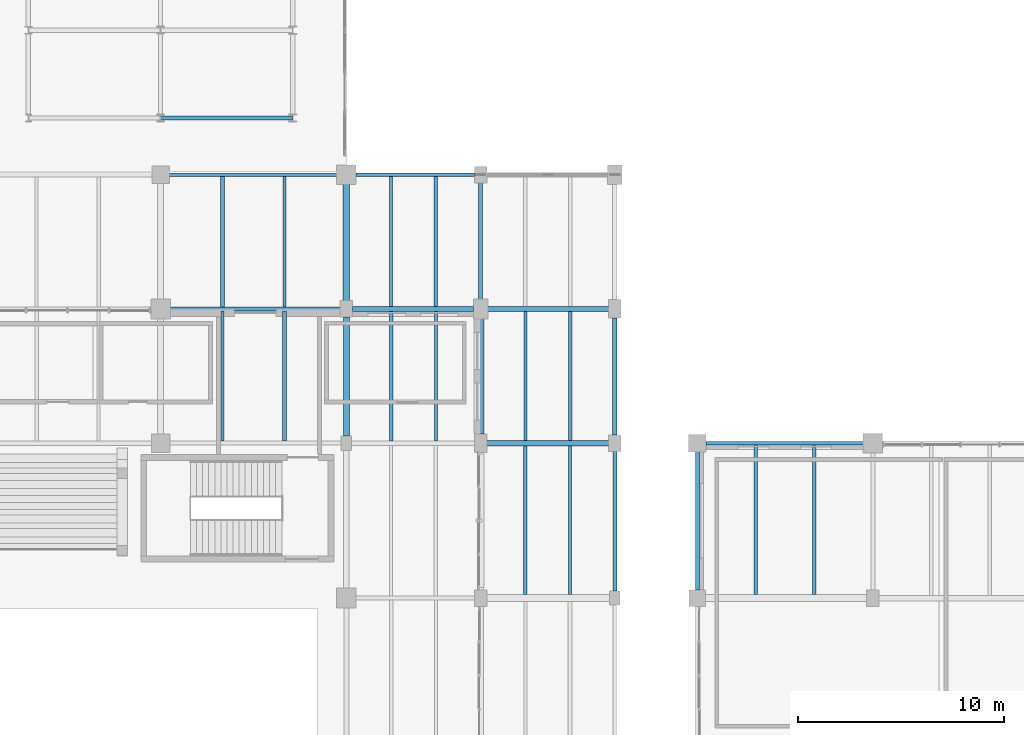
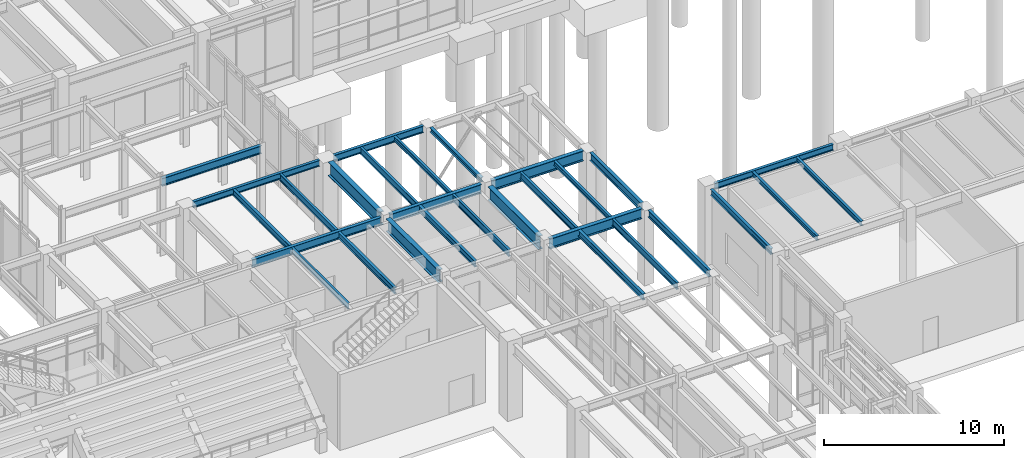
# One storey, part 122 of 203: 29 beams.
"""IFC4 building model written with IfcOpenShell, lengths in metres."""

from ifc_helpers import new_model, si_unit, direction, frame, origin, origin_2d, place, context, subcontext, project, spatial, i_section, extrude, material, material_profile, profile_set, type_object, element, save


model = new_model("IFC4")

# Units and contexts
model_context = context("Model", 3, precision=1e-05, world=origin(), true_north=direction((0.0, 1.0)))
body_context = subcontext(model_context, "Body", "Model", "MODEL_VIEW")
ifc_project = project(units=[si_unit("LENGTHUNIT", "METRE"), si_unit("AREAUNIT", "SQUARE_METRE"), si_unit("VOLUMEUNIT", "CUBIC_METRE"), si_unit("PLANEANGLEUNIT", "RADIAN"), si_unit("MASSUNIT", "GRAM", prefix="KILO"), si_unit("THERMODYNAMICTEMPERATUREUNIT", "KELVIN"), si_unit("POWERUNIT", "WATT")], contexts=[model_context])

# Site, building, storey
site_placement = place(None, origin())
site = spatial("IfcSite", under=ifc_project, at=site_placement, CompositionType="ELEMENT")
building_placement = place(site_placement, origin())
building = spatial("IfcBuilding", under=site, at=building_placement, Name="Tepalcoro Natatorium and Aquatics Centre", CompositionType="ELEMENT")
storey_placement = place(building_placement, origin())
storey = spatial("IfcBuildingStorey", under=building, at=storey_placement, Name="L00", CompositionType="ELEMENT", Elevation=0.0)

# Beams
ifc_material = material(Name="Steel ASTM A992 Grade 50 (Fy 345 MPa)", Category="steel")
ifc_material_profile_1 = material_profile(ifc_material, i_section(OverallWidth=0.2109375, OverallDepth=0.5380859375, WebThickness=0.011962890625, FlangeThickness=0.01904296875, FilletRadius=0.013916015625, at=origin_2d()), Name="W21X73")
ifc_profile_set_1 = profile_set([ifc_material_profile_1], Name="Steel ASTM A992 Grade 50 (Fy 345 MPa)")
beam_type_1 = type_object("IfcBeamType", Name="BM_LINK_LB1", PredefinedType="BEAM", material=ifc_profile_set_1)
beam_1_placement = place(storey_placement, frame((116.0, 74.75, 4.89599609375), z_axis=(1.0, 0.0, 0.0), x_axis=(0.0, 1.0, 0.0)))
element("IfcBeam", 1, at=beam_1_placement, inside=storey, type_object=beam_type_1, Name="Seismic passage link beam LB1 (V6NE L00)", PredefinedType="BEAM", context=body_context, shape_type="SweptSolid", body=[
    extrude(i_section(OverallWidth=0.2109375, OverallDepth=0.5380859375, WebThickness=0.011962890625, FlangeThickness=0.01904296875, FilletRadius=0.013916015625, at=origin_2d()), origin(), (0.0, 0.0, 1.0), 6.39990234375),
])
ifc_material_profile_2 = material_profile(ifc_material, i_section(OverallWidth=0.202880859375, OverallDepth=0.304931640625, WebThickness=0.007080078125, FlangeThickness=0.012939453125, FilletRadius=0.013916015625, at=origin_2d()), Name="W12X40")
ifc_profile_set_2 = profile_set([ifc_material_profile_2], Name="Steel ASTM A992 Grade 50 (Fy 345 MPa)")
beam_type_2 = type_object("IfcBeamType", Name="BM_W12x40", PredefinedType="BEAM", material=ifc_profile_set_2)
beam_2_placement = place(storey_placement, frame((131.5, 65.9599609375, 4.9326171875), z_axis=(0.0, 1.0, 0.0), x_axis=(-1.0, 0.0, 0.0)))
element("IfcBeam", 2, at=beam_2_placement, inside=storey, type_object=beam_type_2, Name="V1 L00 Grid Girder Y", PredefinedType="BEAM", context=body_context, shape_type="SweptSolid", body=[
    extrude(i_section(OverallWidth=0.202880859375, OverallDepth=0.304931640625, WebThickness=0.007080078125, FlangeThickness=0.012939453125, FilletRadius=0.013916015625, at=origin_2d()), origin(), (0.0, 0.0, 1.0), 5.655029296875),
])
ifc_material_profile_3 = material_profile(ifc_material, i_section(OverallWidth=0.2099609375, OverallDepth=0.532958984375, WebThickness=0.010009765625, FlangeThickness=0.01611328125, FilletRadius=0.013916015625, at=origin_2d()), Name="W21X62")
ifc_profile_set_3 = profile_set([ifc_material_profile_3], Name="Steel ASTM A992 Grade 50 (Fy 345 MPa)")
beam_type_3 = type_object("IfcBeamType", Name="BM_W21x62", PredefinedType="BEAM", material=ifc_profile_set_3)
beam_3_placement = place(storey_placement, frame((116.4599609375, 65.5, 4.818603515625), z_axis=(1.0, 0.0, 0.0), x_axis=(0.0, 1.0, 0.0)))
element("IfcBeam", 3, at=beam_3_placement, inside=storey, type_object=beam_type_3, Name="V1 L00 Grid Girder X", PredefinedType="BEAM", context=body_context, shape_type="SweptSolid", body=[
    extrude(i_section(OverallWidth=0.2099609375, OverallDepth=0.532958984375, WebThickness=0.010009765625, FlangeThickness=0.01611328125, FilletRadius=0.013916015625, at=origin_2d()), origin(), (0.0, 0.0, 1.0), 8.255126953125),
])
ifc_material_profile_4 = material_profile(ifc_material, i_section(OverallWidth=0.22998046875, OverallDepth=0.616943359375, WebThickness=0.012939453125, FlangeThickness=0.02197265625, FilletRadius=0.013916015625, at=origin_2d()), Name="W24X94")
ifc_profile_set_4 = profile_set([ifc_material_profile_4], Name="Steel ASTM A992 Grade 50 (Fy 345 MPa)")
beam_type_4 = type_object("IfcBeamType", Name="BM_W24x94", PredefinedType="BEAM", material=ifc_profile_set_4)
beam_4_placement = place(storey_placement, frame((125.284912109375, 65.5, 4.776611328125), z_axis=(1.0, 0.0, 0.0), x_axis=(0.0, 1.0, 0.0)))
element("IfcBeam", 4, at=beam_4_placement, inside=storey, type_object=beam_type_4, Name="V1 L00 Grid Girder X", PredefinedType="BEAM", context=body_context, shape_type="SweptSolid", body=[
    extrude(i_section(OverallWidth=0.22998046875, OverallDepth=0.616943359375, WebThickness=0.012939453125, FlangeThickness=0.02197265625, FilletRadius=0.013916015625, at=origin_2d()), origin(), (0.0, 0.0, 1.0), 5.880126953125),
])
ifc_material_profile_5 = material_profile(ifc_material, i_section(OverallWidth=0.25390625, OverallDepth=0.68798828125, WebThickness=0.012939453125, FlangeThickness=0.02099609375, FilletRadius=0.013916015625, at=origin_2d()), Name="W27X102")
ifc_profile_set_5 = profile_set([ifc_material_profile_5], Name="Steel ASTM A992 Grade 50 (Fy 345 MPa)")
beam_type_5 = type_object("IfcBeamType", Name="BM_W27x102", PredefinedType="BEAM", material=ifc_profile_set_5)
beam_5_placement = place(storey_placement, frame((131.784912109375, 59.0, 4.740966796875), z_axis=(1.0, 0.0, 0.0), x_axis=(0.0, 1.0, 0.0)))
element("IfcBeam", 5, at=beam_5_placement, inside=storey, type_object=beam_type_5, Name="V1 L00 Grid Girder X", PredefinedType="BEAM", context=body_context, shape_type="SweptSolid", body=[
    extrude(i_section(OverallWidth=0.25390625, OverallDepth=0.68798828125, WebThickness=0.012939453125, FlangeThickness=0.02099609375, FilletRadius=0.013916015625, at=origin_2d()), origin(), (0.0, 0.0, 1.0), 5.93017578125),
])
ifc_material_profile_6 = material_profile(ifc_material, i_section(OverallWidth=0.25390625, OverallDepth=0.700927734375, WebThickness=0.014892578125, FlangeThickness=0.028076171875, FilletRadius=0.013916015625, at=origin_2d()), Name="W27X129")
ifc_profile_set_6 = profile_set([ifc_material_profile_6], Name="Steel ASTM A992 Grade 50 (Fy 345 MPa)")
beam_type_6 = type_object("IfcBeamType", Name="BM_W27x129", PredefinedType="BEAM", material=ifc_profile_set_6)
beam_6_placement = place(storey_placement, frame((131.8349609375, 65.5, 4.734619140625), z_axis=(1.0, 0.0, 0.0), x_axis=(0.0, 1.0, 0.0)))
element("IfcBeam", 6, at=beam_6_placement, inside=storey, type_object=beam_type_6, Name="V1 L00 Grid Girder X", PredefinedType="BEAM", context=body_context, shape_type="SweptSolid", body=[
    extrude(i_section(OverallWidth=0.25390625, OverallDepth=0.700927734375, WebThickness=0.014892578125, FlangeThickness=0.028076171875, FilletRadius=0.013916015625, at=origin_2d()), origin(), (0.0, 0.0, 1.0), 5.880126953125),
])
ifc_material_profile_7 = material_profile(ifc_material, i_section(OverallWidth=0.2919921875, OverallDepth=0.85888671875, WebThickness=0.01708984375, FlangeThickness=0.031005859375, FilletRadius=0.013916015625, at=origin_2d()), Name="W33X169")
ifc_profile_set_7 = profile_set([ifc_material_profile_7], Name="Steel ASTM A992 Grade 50 (Fy 345 MPa)")
beam_type_7 = type_object("IfcBeamType", Name="BM_W33x169", PredefinedType="BEAM", material=ifc_profile_set_7)
beam_7_placement = place(storey_placement, frame((125.0, 59.3349609375, 4.695556640625), z_axis=(0.0, 1.0, 0.0), x_axis=(-1.0, 0.0, 0.0)))
element("IfcBeam", 7, at=beam_7_placement, inside=storey, type_object=beam_type_7, Name="V1 L00 Grid Girder Y", PredefinedType="BEAM", context=body_context, shape_type="SweptSolid", body=[
    extrude(i_section(OverallWidth=0.2919921875, OverallDepth=0.85888671875, WebThickness=0.01708984375, FlangeThickness=0.031005859375, FilletRadius=0.013916015625, at=origin_2d()), origin(), (0.0, 0.0, 1.0), 5.780029296875),
])
ifc_material_profile_8 = material_profile(ifc_material, i_section(OverallWidth=0.304931640625, OverallDepth=0.9189453125, WebThickness=0.01708984375, FlangeThickness=0.028076171875, FilletRadius=0.013916015625, at=origin_2d()), Name="W36X170")
ifc_profile_set_8 = profile_set([ifc_material_profile_8], Name="Steel ASTM A992 Grade 50 (Fy 345 MPa)")
beam_type_8 = type_object("IfcBeamType", Name="BM_W36x170", PredefinedType="BEAM", material=ifc_profile_set_8)
beam_8_placement = place(storey_placement, frame((131.5, 59.43505859375, 4.62548828125), z_axis=(0.0, 1.0, 0.0), x_axis=(-1.0, 0.0, 0.0)))
element("IfcBeam", 8, at=beam_8_placement, inside=storey, type_object=beam_type_8, Name="V1 L00 Grid Girder Y", PredefinedType="BEAM", context=body_context, shape_type="SweptSolid", body=[
    extrude(i_section(OverallWidth=0.304931640625, OverallDepth=0.9189453125, WebThickness=0.01708984375, FlangeThickness=0.028076171875, FilletRadius=0.013916015625, at=origin_2d()), origin(), (0.0, 0.0, 1.0), 5.60498046875),
])
ifc_material_profile_9 = material_profile(ifc_material, i_section(OverallWidth=0.31005859375, OverallDepth=0.931884765625, WebThickness=0.02099609375, FlangeThickness=0.034912109375, FilletRadius=0.013916015625, at=origin_2d()), Name="W36X210")
ifc_profile_set_9 = profile_set([ifc_material_profile_9], Name="Steel ASTM A992 Grade 50 (Fy 345 MPa)")
beam_type_9 = type_object("IfcBeamType", Name="BM_W36x210", PredefinedType="BEAM", material=ifc_profile_set_9)
beam_9_placement = place(storey_placement, frame((125.0, 65.885009765625, 4.618896484375), z_axis=(0.0, 1.0, 0.0), x_axis=(-1.0, 0.0, 0.0)))
element("IfcBeam", 9, at=beam_9_placement, inside=storey, type_object=beam_type_9, Name="V1 L00 Grid Girder Y", PredefinedType="BEAM", context=body_context, shape_type="SweptSolid", body=[
    extrude(i_section(OverallWidth=0.31005859375, OverallDepth=0.931884765625, WebThickness=0.02099609375, FlangeThickness=0.034912109375, FilletRadius=0.013916015625, at=origin_2d()), origin(), (0.0, 0.0, 1.0), 5.655029296875),
])
ifc_material_profile_10 = material_profile(ifc_material, i_section(OverallWidth=0.1650390625, OverallDepth=0.31005859375, WebThickness=0.006103515625, FlangeThickness=0.010009765625, FilletRadius=0.013916015625, at=origin_2d()), Name="W12X26")
ifc_profile_set_10 = profile_set([ifc_material_profile_10], Name="Steel ASTM A992 Grade 50 (Fy 345 MPa)")
beam_type_10 = type_object("IfcBeamType", Name="JS_W12x26", PredefinedType="JOIST", material=ifc_profile_set_10)
beam_10_placement = place(storey_placement, frame((129.333251953125, 65.614990234375, 4.929931640625), z_axis=(0.0, 1.0, 0.0), x_axis=(-1.0, 0.0, 0.0)))
element("IfcBeam", 10, at=beam_10_placement, inside=storey, type_object=beam_type_10, Name="V1 L00 Floor Joist", PredefinedType="JOIST", context=body_context, shape_type="SweptSolid", body=[
    extrude(i_section(OverallWidth=0.1650390625, OverallDepth=0.31005859375, WebThickness=0.006103515625, FlangeThickness=0.010009765625, FilletRadius=0.013916015625, at=origin_2d()), origin(), (0.0, 0.0, 1.0), 6.28955078125),
])
beam_11_placement = place(storey_placement, frame((135.833251953125, 59.126953125, 4.929931640625), z_axis=(0.0, 1.0, 0.0), x_axis=(-1.0, 0.0, 0.0)))
element("IfcBeam", 11, at=beam_11_placement, inside=storey, type_object=beam_type_10, Name="V1 L00 Floor Joist", PredefinedType="JOIST", context=body_context, shape_type="SweptSolid", body=[
    extrude(i_section(OverallWidth=0.1650390625, OverallDepth=0.31005859375, WebThickness=0.006103515625, FlangeThickness=0.010009765625, FilletRadius=0.013916015625, at=origin_2d()), origin(), (0.0, 0.0, 1.0), 6.24609375),
])
beam_12_placement = place(storey_placement, frame((144.833251953125, 51.66259765625, 4.969970703125), z_axis=(0.0, 1.0, 0.0), x_axis=(-1.0, 0.0, 0.0)))
element("IfcBeam", 12, at=beam_12_placement, inside=storey, type_object=beam_type_10, Name="V2 L00 Floor Joist", PredefinedType="JOIST", context=body_context, shape_type="SweptSolid", body=[
    extrude(i_section(OverallWidth=0.1650390625, OverallDepth=0.31005859375, WebThickness=0.006103515625, FlangeThickness=0.010009765625, FilletRadius=0.013916015625, at=origin_2d()), origin(), (0.0, 0.0, 1.0), 7.247314453125),
])
ifc_material_profile_11 = material_profile(ifc_material, i_section(OverallWidth=0.1669921875, OverallDepth=0.318115234375, WebThickness=0.008056640625, FlangeThickness=0.012939453125, FilletRadius=0.013916015625, at=origin_2d()), Name="W12X35")
ifc_profile_set_11 = profile_set([ifc_material_profile_11], Name="Steel ASTM A992 Grade 50 (Fy 345 MPa)")
beam_type_11 = type_object("IfcBeamType", Name="JS_W12x35", PredefinedType="JOIST", material=ifc_profile_set_11)
beam_13_placement = place(storey_placement, frame((147.666748046875, 51.66259765625, 4.966064453125), z_axis=(0.0, 1.0, 0.0), x_axis=(-1.0, 0.0, 0.0)))
element("IfcBeam", 13, at=beam_13_placement, inside=storey, type_object=beam_type_11, Name="V2 L00 Floor Joist", PredefinedType="JOIST", context=body_context, shape_type="SweptSolid", body=[
    extrude(i_section(OverallWidth=0.1669921875, OverallDepth=0.318115234375, WebThickness=0.008056640625, FlangeThickness=0.012939453125, FilletRadius=0.013916015625, at=origin_2d()), origin(), (0.0, 0.0, 1.0), 7.247314453125),
])
ifc_material_profile_12 = material_profile(ifc_material, i_section(OverallWidth=0.139892578125, OverallDepth=0.404052734375, WebThickness=0.007080078125, FlangeThickness=0.010986328125, FilletRadius=0.013916015625, at=origin_2d()), Name="W16X31")
ifc_profile_set_12 = profile_set([ifc_material_profile_12], Name="Steel ASTM A992 Grade 50 (Fy 345 MPa)")
beam_type_12 = type_object("IfcBeamType", Name="JS_W16x31", PredefinedType="JOIST", material=ifc_profile_set_12)
beam_14_placement = place(storey_placement, frame((119.0, 59.096435546875, 4.883056640625), z_axis=(0.0, 1.0, 0.0), x_axis=(-1.0, 0.0, 0.0)))
element("IfcBeam", 14, at=beam_14_placement, inside=storey, type_object=beam_type_12, Name="V1 L00 Floor Joist", PredefinedType="JOIST", context=body_context, shape_type="SweptSolid", body=[
    extrude(i_section(OverallWidth=0.139892578125, OverallDepth=0.404052734375, WebThickness=0.007080078125, FlangeThickness=0.010986328125, FilletRadius=0.013916015625, at=origin_2d()), origin(), (0.0, 0.0, 1.0), 6.298583984375),
])
ifc_material_profile_13 = material_profile(ifc_material, i_section(OverallWidth=0.178955078125, OverallDepth=0.409912109375, WebThickness=0.009033203125, FlangeThickness=0.013916015625, FilletRadius=0.013916015625, at=origin_2d()), Name="W16X45")
ifc_profile_set_13 = profile_set([ifc_material_profile_13], Name="Steel ASTM A992 Grade 50 (Fy 345 MPa)")
beam_type_13 = type_object("IfcBeamType", Name="JS_W16x45", PredefinedType="JOIST", material=ifc_profile_set_13)
beam_15_placement = place(storey_placement, frame((122.0, 59.096435546875, 4.8798828125), z_axis=(0.0, 1.0, 0.0), x_axis=(-1.0, 0.0, 0.0)))
element("IfcBeam", 15, at=beam_15_placement, inside=storey, type_object=beam_type_13, Name="V1 L00 Floor Joist", PredefinedType="JOIST", context=body_context, shape_type="SweptSolid", body=[
    extrude(i_section(OverallWidth=0.178955078125, OverallDepth=0.409912109375, WebThickness=0.009033203125, FlangeThickness=0.013916015625, FilletRadius=0.013916015625, at=origin_2d()), origin(), (0.0, 0.0, 1.0), 6.298583984375),
])
beam_16_placement = place(storey_placement, frame((119.0, 65.60498046875, 4.8798828125), z_axis=(0.0, 1.0, 0.0), x_axis=(-1.0, 0.0, 0.0)))
element("IfcBeam", 16, at=beam_16_placement, inside=storey, type_object=beam_type_13, Name="V1 L00 Floor Joist", PredefinedType="JOIST", context=body_context, shape_type="SweptSolid", body=[
    extrude(i_section(OverallWidth=0.178955078125, OverallDepth=0.409912109375, WebThickness=0.009033203125, FlangeThickness=0.013916015625, FilletRadius=0.013916015625, at=origin_2d()), origin(), (0.0, 0.0, 1.0), 6.304931640625),
])
beam_17_placement = place(storey_placement, frame((127.166748046875, 59.114013671875, 4.8798828125), z_axis=(0.0, 1.0, 0.0), x_axis=(-1.0, 0.0, 0.0)))
element("IfcBeam", 17, at=beam_17_placement, inside=storey, type_object=beam_type_13, Name="V1 L00 Floor Joist", PredefinedType="JOIST", context=body_context, shape_type="SweptSolid", body=[
    extrude(i_section(OverallWidth=0.178955078125, OverallDepth=0.409912109375, WebThickness=0.009033203125, FlangeThickness=0.013916015625, FilletRadius=0.013916015625, at=origin_2d()), origin(), (0.0, 0.0, 1.0), 6.27099609375),
])
beam_18_placement = place(storey_placement, frame((133.666748046875, 51.66259765625, 4.8798828125), z_axis=(0.0, 1.0, 0.0), x_axis=(-1.0, 0.0, 0.0)))
element("IfcBeam", 18, at=beam_18_placement, inside=storey, type_object=beam_type_13, Name="V1 L00 Floor Joist", PredefinedType="JOIST", context=body_context, shape_type="SweptSolid", body=[
    extrude(i_section(OverallWidth=0.178955078125, OverallDepth=0.409912109375, WebThickness=0.009033203125, FlangeThickness=0.013916015625, FilletRadius=0.013916015625, at=origin_2d()), origin(), (0.0, 0.0, 1.0), 7.21044921875),
])
ifc_material_profile_14 = material_profile(ifc_material, i_section(OverallWidth=0.153076171875, OverallDepth=0.455078125, WebThickness=0.008056640625, FlangeThickness=0.012939453125, FilletRadius=0.013916015625, at=origin_2d()), Name="W18X40")
ifc_profile_set_14 = profile_set([ifc_material_profile_14], Name="Steel ASTM A992 Grade 50 (Fy 345 MPa)")
beam_type_14 = type_object("IfcBeamType", Name="JS_W18x40", PredefinedType="JOIST", material=ifc_profile_set_14)
beam_19_placement = place(storey_placement, frame((122.0, 65.60498046875, 4.857421875), z_axis=(0.0, 1.0, 0.0), x_axis=(-1.0, 0.0, 0.0)))
element("IfcBeam", 19, at=beam_19_placement, inside=storey, type_object=beam_type_14, Name="V1 L00 Floor Joist", PredefinedType="JOIST", context=body_context, shape_type="SweptSolid", body=[
    extrude(i_section(OverallWidth=0.153076171875, OverallDepth=0.455078125, WebThickness=0.008056640625, FlangeThickness=0.012939453125, FilletRadius=0.013916015625, at=origin_2d()), origin(), (0.0, 0.0, 1.0), 6.304931640625),
])
beam_20_placement = place(storey_placement, frame((129.333251953125, 59.114013671875, 4.857421875), z_axis=(0.0, 1.0, 0.0), x_axis=(-1.0, 0.0, 0.0)))
element("IfcBeam", 20, at=beam_20_placement, inside=storey, type_object=beam_type_14, Name="V1 L00 Floor Joist", PredefinedType="JOIST", context=body_context, shape_type="SweptSolid", body=[
    extrude(i_section(OverallWidth=0.153076171875, OverallDepth=0.455078125, WebThickness=0.008056640625, FlangeThickness=0.012939453125, FilletRadius=0.013916015625, at=origin_2d()), origin(), (0.0, 0.0, 1.0), 6.27099609375),
])
beam_21_placement = place(storey_placement, frame((127.166748046875, 65.614990234375, 4.857421875), z_axis=(0.0, 1.0, 0.0), x_axis=(-1.0, 0.0, 0.0)))
element("IfcBeam", 21, at=beam_21_placement, inside=storey, type_object=beam_type_14, Name="V1 L00 Floor Joist", PredefinedType="JOIST", context=body_context, shape_type="SweptSolid", body=[
    extrude(i_section(OverallWidth=0.153076171875, OverallDepth=0.455078125, WebThickness=0.008056640625, FlangeThickness=0.012939453125, FilletRadius=0.013916015625, at=origin_2d()), origin(), (0.0, 0.0, 1.0), 6.28955078125),
])
beam_22_placement = place(storey_placement, frame((135.833251953125, 51.66259765625, 4.857421875), z_axis=(0.0, 1.0, 0.0), x_axis=(-1.0, 0.0, 0.0)))
element("IfcBeam", 22, at=beam_22_placement, inside=storey, type_object=beam_type_14, Name="V1 L00 Floor Joist", PredefinedType="JOIST", context=body_context, shape_type="SweptSolid", body=[
    extrude(i_section(OverallWidth=0.153076171875, OverallDepth=0.455078125, WebThickness=0.008056640625, FlangeThickness=0.012939453125, FilletRadius=0.013916015625, at=origin_2d()), origin(), (0.0, 0.0, 1.0), 7.21044921875),
])
beam_23_placement = place(storey_placement, frame((133.666748046875, 59.126953125, 4.857421875), z_axis=(0.0, 1.0, 0.0), x_axis=(-1.0, 0.0, 0.0)))
element("IfcBeam", 23, at=beam_23_placement, inside=storey, type_object=beam_type_14, Name="V1 L00 Floor Joist", PredefinedType="JOIST", context=body_context, shape_type="SweptSolid", body=[
    extrude(i_section(OverallWidth=0.153076171875, OverallDepth=0.455078125, WebThickness=0.008056640625, FlangeThickness=0.012939453125, FilletRadius=0.013916015625, at=origin_2d()), origin(), (0.0, 0.0, 1.0), 6.24609375),
])
ifc_material_profile_15 = material_profile(ifc_material, i_section(OverallWidth=0.179931640625, OverallDepth=0.4130859375, WebThickness=0.010009765625, FlangeThickness=0.01611328125, FilletRadius=0.013916015625, at=origin_2d()), Name="W16X50")
ifc_profile_set_15 = profile_set([ifc_material_profile_15], Name="Steel ASTM A992 Grade 50 (Fy 345 MPa)")
beam_type_15 = type_object("IfcBeamType", Name="SP_HSS300x200x12", PredefinedType="SPANDREL", material=ifc_profile_set_15)
beam_24_placement = place(storey_placement, frame((116.409912109375, 72.0, 4.87841796875), z_axis=(1.0, 0.0, 0.0), x_axis=(0.0, 1.0, 0.0)))
element("IfcBeam", 24, at=beam_24_placement, inside=storey, type_object=beam_type_15, Name="V1 L00 Grid Girder X", PredefinedType="SPANDREL", context=body_context, shape_type="SweptSolid", body=[
    extrude(i_section(OverallWidth=0.179931640625, OverallDepth=0.4130859375, WebThickness=0.010009765625, FlangeThickness=0.01611328125, FilletRadius=0.013916015625, at=origin_2d()), origin(), (0.0, 0.0, 1.0), 8.130126953125),
])
beam_25_placement = place(storey_placement, frame((142.409912109375, 59.0, 4.91845703125), z_axis=(1.0, 0.0, 0.0), x_axis=(0.0, 1.0, 0.0)))
element("IfcBeam", 25, at=beam_25_placement, inside=storey, type_object=beam_type_15, Name="V2 L00 Grid Girder X", PredefinedType="SPANDREL", context=body_context, shape_type="SweptSolid", body=[
    extrude(i_section(OverallWidth=0.179931640625, OverallDepth=0.4130859375, WebThickness=0.010009765625, FlangeThickness=0.01611328125, FilletRadius=0.013916015625, at=origin_2d()), origin(), (0.0, 0.0, 1.0), 7.630126953125),
])
beam_26_placement = place(storey_placement, frame((142.0, 51.885009765625, 4.91845703125), z_axis=(0.0, 1.0, 0.0), x_axis=(-1.0, 0.0, 0.0)))
element("IfcBeam", 26, at=beam_26_placement, inside=storey, type_object=beam_type_15, Name="V2 L00 Grid Girder Y", PredefinedType="SPANDREL", context=body_context, shape_type="SweptSolid", body=[
    extrude(i_section(OverallWidth=0.179931640625, OverallDepth=0.4130859375, WebThickness=0.010009765625, FlangeThickness=0.01611328125, FilletRadius=0.013916015625, at=origin_2d()), origin(), (0.0, 0.0, 1.0), 6.705078125),
])
ifc_material_profile_16 = material_profile(ifc_material, i_section(OverallWidth=0.19091796875, OverallDepth=0.4599609375, WebThickness=0.010009765625, FlangeThickness=0.01611328125, FilletRadius=0.013916015625, at=origin_2d()), Name="W18X55")
ifc_profile_set_16 = profile_set([ifc_material_profile_16], Name="Steel ASTM A992 Grade 50 (Fy 345 MPa)")
beam_type_16 = type_object("IfcBeamType", Name="SP_W18x55", PredefinedType="SPANDREL", material=ifc_profile_set_16)
beam_27_placement = place(storey_placement, frame((125.4599609375, 72.0, 4.85498046875), z_axis=(1.0, 0.0, 0.0), x_axis=(0.0, 1.0, 0.0)))
element("IfcBeam", 27, at=beam_27_placement, inside=storey, type_object=beam_type_16, Name="V1 L00 Grid Girder X", PredefinedType="SPANDREL", context=body_context, shape_type="SweptSolid", body=[
    extrude(i_section(OverallWidth=0.19091796875, OverallDepth=0.4599609375, WebThickness=0.010009765625, FlangeThickness=0.01611328125, FilletRadius=0.013916015625, at=origin_2d()), origin(), (0.0, 0.0, 1.0), 5.755126953125),
])
beam_28_placement = place(storey_placement, frame((138.0, 51.8349609375, 4.85498046875), z_axis=(0.0, 1.0, 0.0), x_axis=(-1.0, 0.0, 0.0)))
element("IfcBeam", 28, at=beam_28_placement, inside=storey, type_object=beam_type_16, Name="V1 L00 Grid Girder Y", PredefinedType="SPANDREL", context=body_context, shape_type="SweptSolid", body=[
    extrude(i_section(OverallWidth=0.19091796875, OverallDepth=0.4599609375, WebThickness=0.010009765625, FlangeThickness=0.01611328125, FilletRadius=0.013916015625, at=origin_2d()), origin(), (0.0, 0.0, 1.0), 6.780029296875),
])
ifc_material_profile_17 = material_profile(ifc_material, i_section(OverallWidth=0.2099609375, OverallDepth=0.535888671875, WebThickness=0.010986328125, FlangeThickness=0.01708984375, FilletRadius=0.013916015625, at=origin_2d()), Name="W21X68")
ifc_profile_set_17 = profile_set([ifc_material_profile_17], Name="Steel ASTM A992 Grade 50 (Fy 345 MPa)")
beam_type_17 = type_object("IfcBeamType", Name="SP_W21x68", PredefinedType="SPANDREL", material=ifc_profile_set_17)
beam_29_placement = place(storey_placement, frame((138.0, 59.385009765625, 4.81689453125), z_axis=(0.0, 1.0, 0.0), x_axis=(-1.0, 0.0, 0.0)))
element("IfcBeam", 29, at=beam_29_placement, inside=storey, type_object=beam_type_17, Name="V1 L00 Grid Girder Y", PredefinedType="SPANDREL", context=body_context, shape_type="SweptSolid", body=[
    extrude(i_section(OverallWidth=0.2099609375, OverallDepth=0.535888671875, WebThickness=0.010986328125, FlangeThickness=0.01708984375, FilletRadius=0.013916015625, at=origin_2d()), origin(), (0.0, 0.0, 1.0), 5.679931640625),
])

save(model, "model.ifc")
